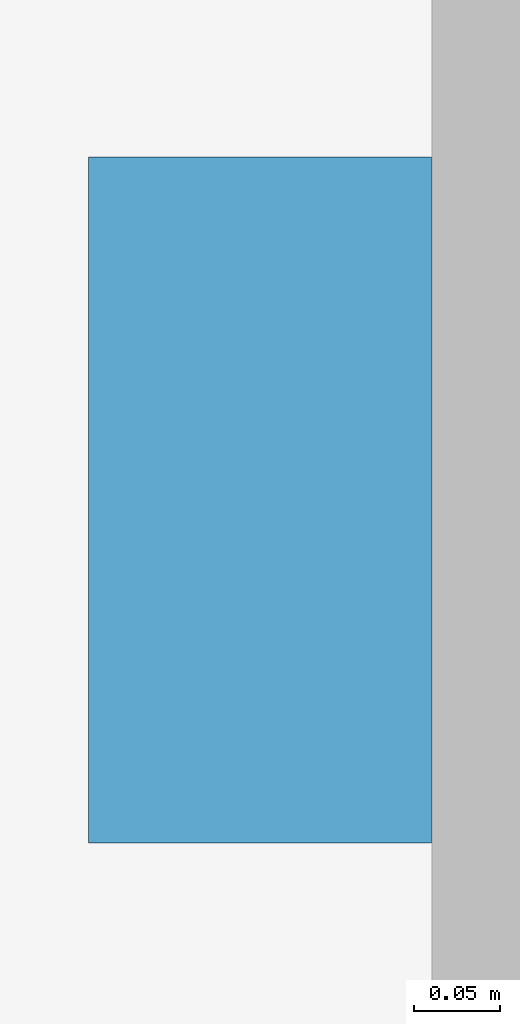
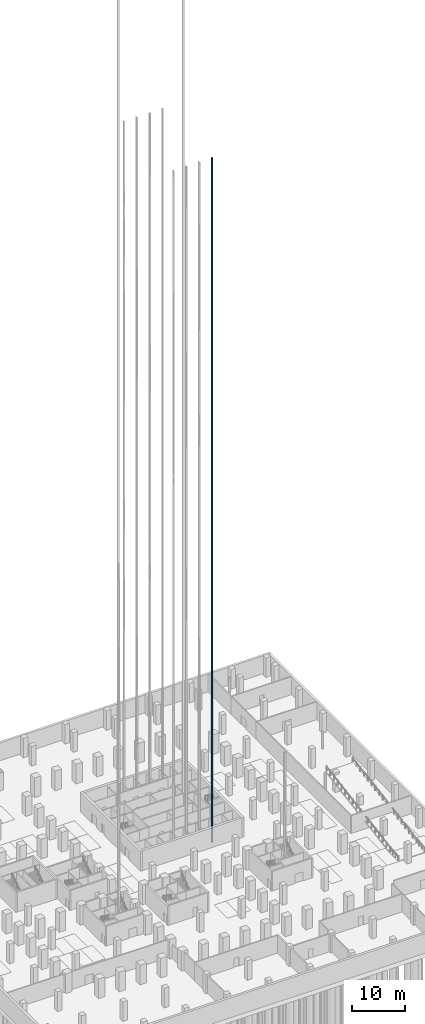
# One storey, part 26 of 37: 1 discrete accessory.
"""IFC4 building model written with IfcOpenShell, lengths in metres."""

from ifc_helpers import new_model, si_unit, direction, frame, origin, origin_2d, place, context, subcontext, project, spatial, rectangle, extrude, material, element, save


model = new_model("IFC4")

# Units and contexts
model_context = context("Model", 3, precision=1e-05, world=origin(), true_north=direction((0.0, 1.0)))
body_context = subcontext(model_context, "Body", "Model", "MODEL_VIEW")
ifc_project = project(units=[si_unit("LENGTHUNIT", "METRE"), si_unit("AREAUNIT", "SQUARE_METRE"), si_unit("VOLUMEUNIT", "CUBIC_METRE"), si_unit("PLANEANGLEUNIT", "RADIAN"), si_unit("MASSUNIT", "GRAM", prefix="KILO")], contexts=[model_context])

# Site, building, storey
site_placement = place(None, origin())
site = spatial("IfcSite", under=ifc_project, at=site_placement, CompositionType="ELEMENT")
building_placement = place(site_placement, origin())
building = spatial("IfcBuilding", under=site, at=building_placement, Name="Quoin Convention Tower", CompositionType="ELEMENT")
storey_placement = place(building_placement, frame((0.0, 0.0, -9.0)))
storey = spatial("IfcBuildingStorey", under=building, at=storey_placement, Name="B2", CompositionType="ELEMENT", Elevation=-9.0)

# Discrete accessory
ifc_material = material(Name="Galvanised steel", Category="steel")
discrete_accessory_placement = place(storey_placement, frame((61.64990234375, 51.449951171875, -0.349853515625), z_axis=(0.0, 0.0, 1.0), x_axis=(1.0, 0.0, 0.0)))
element("IfcDiscreteAccessory", 1, at=discrete_accessory_placement, inside=storey, material=ifc_material, Name="LIFT GUIDE RAILS L4", ObjectType="Lift guide rails", PredefinedType="USERDEFINED", context=body_context, shape_type="SweptSolid", body=[
    extrude(rectangle(XDim=0.199951171875, YDim=0.39990234375, at=origin_2d()), origin(), (0.0, 0.0, 1.0), 156.89990234375),
])

save(model, "model.ifc")
